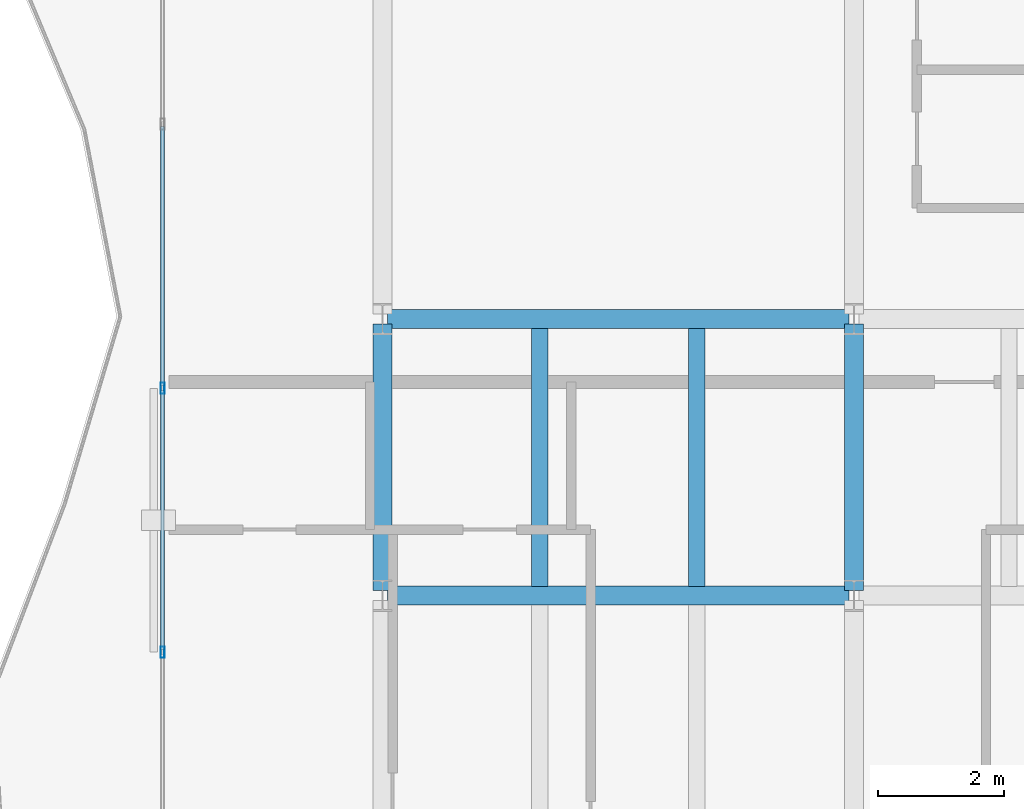
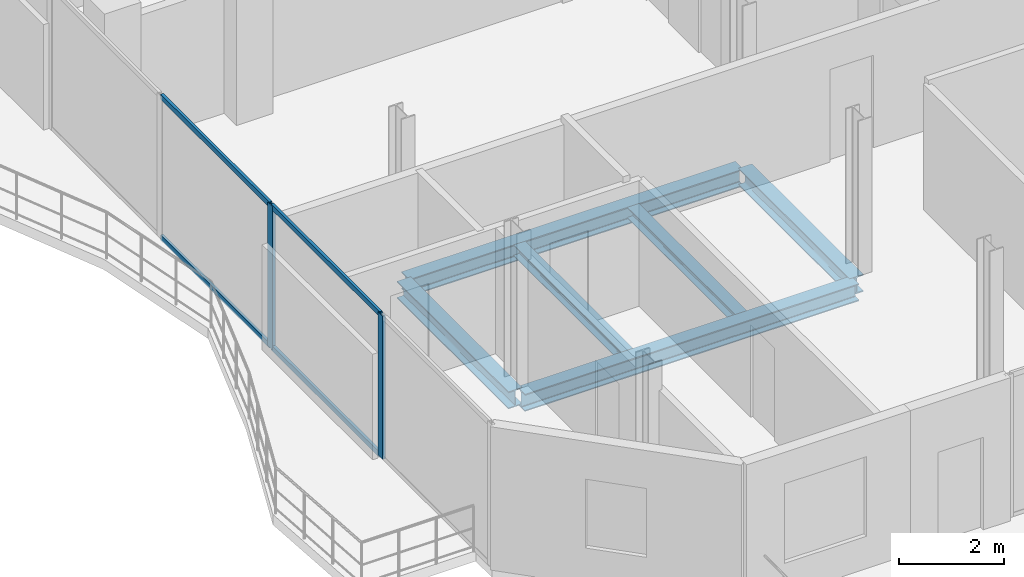
# One storey, part 5 of 23: 6 beams, 6 members, 1 element without a shape of its own.
"""IFC4 building model written with IfcOpenShell, lengths in metres."""

from ifc_helpers import new_model, si_unit, direction, frame, origin, origin_2d, place, context, subcontext, project, spatial, hollow_rectangle, i_section, extrude, material, layer, layer_set, material_profile, profile_set, type_object, element, aggregate, save


model = new_model("IFC4")

# Units and contexts
model_context = context("Model", 3, precision=1e-05, world=origin(), true_north=direction((0.0, 1.0)))
body_context = subcontext(model_context, "Body", "Model", "MODEL_VIEW")
ifc_project = project(units=[si_unit("LENGTHUNIT", "METRE"), si_unit("AREAUNIT", "SQUARE_METRE"), si_unit("VOLUMEUNIT", "CUBIC_METRE"), si_unit("PLANEANGLEUNIT", "RADIAN"), si_unit("MASSUNIT", "GRAM", prefix="KILO")], contexts=[model_context])

# Site, building, storey
site_placement = place(None, origin())
site = spatial("IfcSite", under=ifc_project, at=site_placement, CompositionType="ELEMENT")
building_placement = place(site_placement, origin())
building = spatial("IfcBuilding", under=site, at=building_placement, Name="Catumbela Crestline Tower", CompositionType="ELEMENT")
storey_placement = place(building_placement, frame((0.0, 0.0, 179.4)))
storey = spatial("IfcBuildingStorey", under=building, at=storey_placement, Name="L46", CompositionType="ELEMENT", Elevation=179.4)

# Beams
ifc_material_1 = material(Name="Structural steel S355J2", Category="steel")
ifc_material_profile_1 = material_profile(ifc_material_1, i_section(OverallWidth=0.3, OverallDepth=0.4, WebThickness=0.0135, FlangeThickness=0.024, FilletRadius=0.027, at=origin_2d()), Name="HEB 400")
ifc_profile_set_1 = profile_set([ifc_material_profile_1], Name="Structural steel S355J2")
beam_type_1 = type_object("IfcBeamType", Name="BG-HEB400", PredefinedType="BEAM", material=ifc_profile_set_1)
for number, where, z_axis, x_axis, name in (
    (1, (8.58, 13.6, -0.46), (1.0, 0.0, 0.0), (0.0, 1.0, 0.0), "L46 Beam BM-L46-WEW33"),
    (2, (8.58, 18.0, -0.46), (1.0, 0.0, 0.0), (0.0, 1.0, 0.0), "L46 Beam BM-L46-WEW35"),
):
    element("IfcBeam", number, at=place(storey_placement, frame(where, z_axis=z_axis, x_axis=x_axis)), inside=storey, type_object=beam_type_1, Name=name, PredefinedType="BEAM", context=body_context, shape_type="SweptSolid", body=[
        extrude(i_section(OverallWidth=0.3, OverallDepth=0.4, WebThickness=0.0135, FlangeThickness=0.024, FilletRadius=0.027, at=origin_2d()), origin(), (0.0, 0.0, 1.0), 7.34),
    ])
for number, where, z_axis, x_axis, name in (
    (3, (8.5, 13.68, -0.46), (0.0, 1.0, 0.0), (-1.0, 0.0, 0.0), "L46 Beam BM-L46-WNS38"),
    (4, (16.0, 13.68, -0.46), (0.0, 1.0, 0.0), (-1.0, 0.0, 0.0), "L46 Beam BM-L46-WNS41"),
):
    element("IfcBeam", number, at=place(storey_placement, frame(where, z_axis=z_axis, x_axis=x_axis)), inside=storey, type_object=beam_type_1, Name=name, PredefinedType="BEAM", context=body_context, shape_type="SweptSolid", body=[
        extrude(i_section(OverallWidth=0.3, OverallDepth=0.4, WebThickness=0.0135, FlangeThickness=0.024, FilletRadius=0.027, at=origin_2d()), origin(), (0.0, 0.0, 1.0), 4.24),
    ])
ifc_material_profile_2 = material_profile(ifc_material_1, i_section(OverallWidth=0.26, OverallDepth=0.25, WebThickness=0.0075, FlangeThickness=0.0125, FilletRadius=0.024, at=origin_2d()), Name="HEA 260")
ifc_profile_set_2 = profile_set([ifc_material_profile_2], Name="Structural steel S355J2")
beam_type_2 = type_object("IfcBeamType", Name="BJ-HEA260", PredefinedType="JOIST", material=ifc_profile_set_2)
for number, where, z_axis, x_axis, name in (
    (5, (11.0, 13.747, -0.385), (0.0, 1.0, 0.0), (-1.0, 0.0, 0.0), "L46 Joist JS-L46-WG46"),
    (6, (13.5, 13.747, -0.385), (0.0, 1.0, 0.0), (-1.0, 0.0, 0.0), "L46 Joist JS-L46-WG47"),
):
    element("IfcBeam", number, at=place(storey_placement, frame(where, z_axis=z_axis, x_axis=x_axis)), inside=storey, type_object=beam_type_2, Name=name, PredefinedType="JOIST", context=body_context, shape_type="SweptSolid", body=[
        extrude(i_section(OverallWidth=0.26, OverallDepth=0.25, WebThickness=0.0075, FlangeThickness=0.0125, FilletRadius=0.024, at=origin_2d()), origin(), (0.0, 0.0, 1.0), 4.106),
    ])

# Curtain wall, members
ifc_material_2 = material(Name="Aluminium alloy AW-6060-T66", Category="aluminium")
ifc_layer = layer(ifc_material_2, 0.18, Name="Aluminium alloy AW-6060-T66")
ifc_layer_set = layer_set([ifc_layer], Name="Aluminium alloy AW-6060-T66")
curtain_wall_type = type_object("IfcCurtainWallType", Name="CWU-Z3", PredefinedType="USERDEFINED", material=ifc_layer_set)
curtain_wall_placement = place(storey_placement, origin())
curtain_wall = element("IfcCurtainWall", 7, at=curtain_wall_placement, inside=storey, type_object=curtain_wall_type, Name="L46 Unitised Curtain Wall CW-L46-E9S2", ObjectType="UNITISED", PredefinedType="USERDEFINED")
ifc_material_profile_3 = material_profile(ifc_material_2, hollow_rectangle(XDim=0.065, YDim=0.18, WallThickness=0.004, at=origin_2d()), Name="ALU 180x65x4")
ifc_profile_set_3 = profile_set([ifc_material_profile_3], Name="Aluminium alloy AW-6060-T66")
member_type_1 = type_object("IfcMemberType", Name="MUL-180X65", PredefinedType="MULLION", material=ifc_profile_set_3)
member_1_placement = place(storey_placement, frame((5.0, 16.9, 0.0), z_axis=(0.0, 0.0, 1.0), x_axis=(1.0, 0.0, 0.0)))
member_1 = element("IfcMember", 8, at=member_1_placement, type_object=member_type_1, Name="CWU-Z3 mullion 5", PredefinedType="MULLION", context=body_context, shape_type="SweptSolid", body=[
    extrude(hollow_rectangle(XDim=0.065, YDim=0.18, WallThickness=0.004, at=origin_2d()), origin(), (0.0, 0.0, 1.0), 3.33),
])
member_2_placement = place(storey_placement, frame((5.0, 12.7, 0.0), z_axis=(0.0, 0.0, 1.0), x_axis=(1.0, 0.0, 0.0)))
member_2 = element("IfcMember", 9, at=member_2_placement, type_object=member_type_1, Name="CWU-Z3 mullion 6", PredefinedType="MULLION", context=body_context, shape_type="SweptSolid", body=[
    extrude(hollow_rectangle(XDim=0.065, YDim=0.18, WallThickness=0.004, at=origin_2d()), origin(), (0.0, 0.0, 1.0), 3.33),
])
ifc_material_profile_4 = material_profile(ifc_material_2, hollow_rectangle(XDim=0.06, YDim=0.12, WallThickness=0.0035, at=origin_2d()), Name="ALU 120x60x3.5")
ifc_profile_set_4 = profile_set([ifc_material_profile_4], Name="Aluminium alloy AW-6060-T66")
member_type_2 = type_object("IfcMemberType", Name="TRN-120X60", PredefinedType="USERDEFINED", material=ifc_profile_set_4)
member_3_placement = place(storey_placement, frame((5.0, 21.0675, 0.03), z_axis=(0.0, -1.0, 0.0), x_axis=(1.0, 0.0, 0.0)))
member_3 = element("IfcMember", 10, at=member_3_placement, type_object=member_type_2, Name="CWU-Z3 transom 4.1", ObjectType="TRANSOM", PredefinedType="USERDEFINED", context=body_context, shape_type="SweptSolid", body=[
    extrude(hollow_rectangle(XDim=0.06, YDim=0.12, WallThickness=0.0035, at=origin_2d()), origin(), (0.0, 0.0, 1.0), 4.135),
])
member_4_placement = place(storey_placement, frame((5.0, 21.0675, 3.3), z_axis=(0.0, -1.0, 0.0), x_axis=(1.0, 0.0, 0.0)))
member_4 = element("IfcMember", 11, at=member_4_placement, type_object=member_type_2, Name="CWU-Z3 transom 4.2", ObjectType="TRANSOM", PredefinedType="USERDEFINED", context=body_context, shape_type="SweptSolid", body=[
    extrude(hollow_rectangle(XDim=0.06, YDim=0.12, WallThickness=0.0035, at=origin_2d()), origin(), (0.0, 0.0, 1.0), 4.135),
])
member_5_placement = place(storey_placement, frame((5.0, 16.8675, 0.03), z_axis=(0.0, -1.0, 0.0), x_axis=(1.0, 0.0, 0.0)))
member_5 = element("IfcMember", 12, at=member_5_placement, type_object=member_type_2, Name="CWU-Z3 transom 5.1", ObjectType="TRANSOM", PredefinedType="USERDEFINED", context=body_context, shape_type="SweptSolid", body=[
    extrude(hollow_rectangle(XDim=0.06, YDim=0.12, WallThickness=0.0035, at=origin_2d()), origin(), (0.0, 0.0, 1.0), 4.135),
])
member_6_placement = place(storey_placement, frame((5.0, 16.8675, 3.3), z_axis=(0.0, -1.0, 0.0), x_axis=(1.0, 0.0, 0.0)))
member_6 = element("IfcMember", 13, at=member_6_placement, type_object=member_type_2, Name="CWU-Z3 transom 5.2", ObjectType="TRANSOM", PredefinedType="USERDEFINED", context=body_context, shape_type="SweptSolid", body=[
    extrude(hollow_rectangle(XDim=0.06, YDim=0.12, WallThickness=0.0035, at=origin_2d()), origin(), (0.0, 0.0, 1.0), 4.135),
])
aggregate(curtain_wall, [member_1, member_2, member_3, member_4, member_5, member_6])

save(model, "model.ifc")
